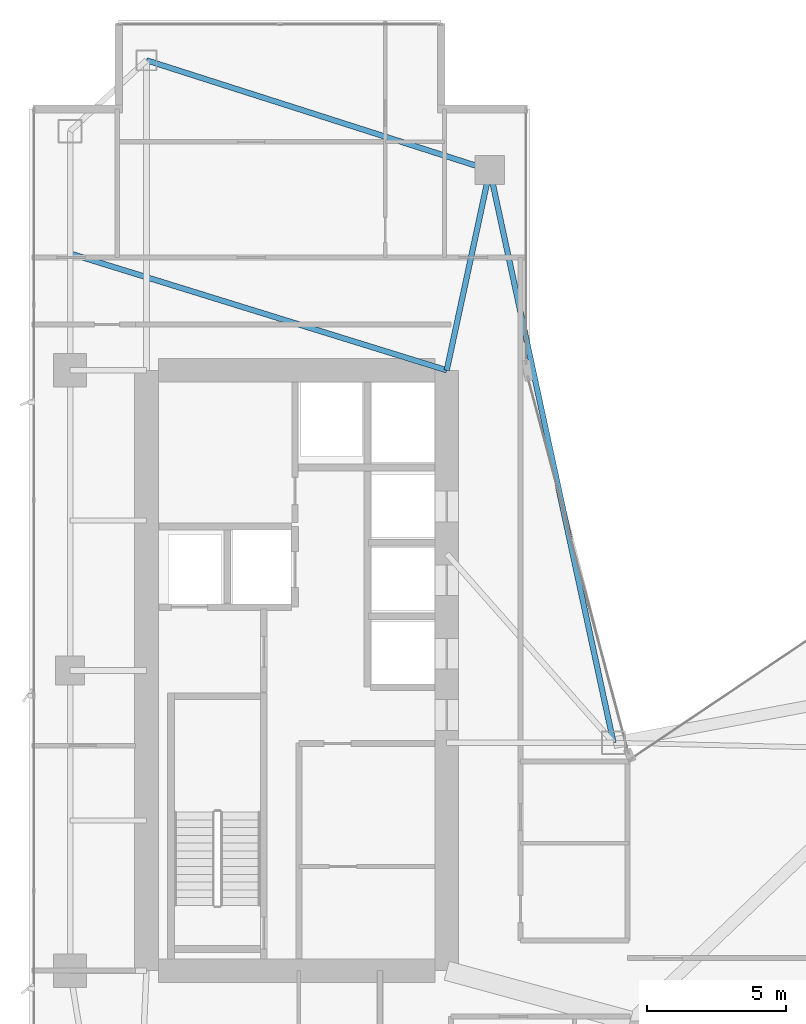
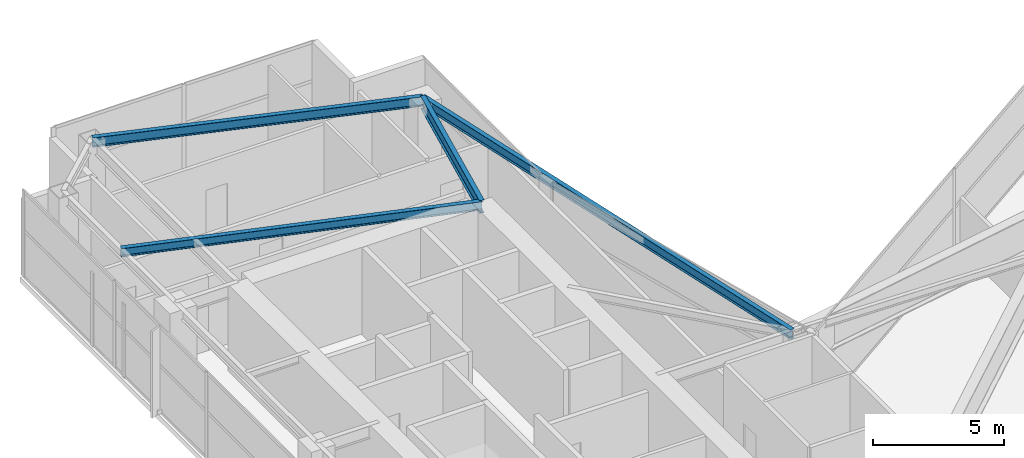
# One storey, part 19 of 30: 4 beams.
"""IFC4 building model written with IfcOpenShell, lengths in metres."""

from ifc_helpers import new_model, si_unit, direction, frame, origin, origin_2d, place, context, subcontext, project, spatial, i_section, extrude, material, material_profile, profile_set, type_object, element, save


model = new_model("IFC4")

# Units and contexts
model_context = context("Model", 3, precision=1e-05, world=origin(), true_north=direction((0.0, 1.0)))
body_context = subcontext(model_context, "Body", "Model", "MODEL_VIEW")
ifc_project = project(units=[si_unit("LENGTHUNIT", "METRE"), si_unit("AREAUNIT", "SQUARE_METRE"), si_unit("VOLUMEUNIT", "CUBIC_METRE"), si_unit("PLANEANGLEUNIT", "RADIAN"), si_unit("MASSUNIT", "GRAM", prefix="KILO")], contexts=[model_context])

# Site, building, storey
site_placement = place(None, origin())
site = spatial("IfcSite", under=ifc_project, at=site_placement, CompositionType="ELEMENT")
building_placement = place(site_placement, origin())
building = spatial("IfcBuilding", under=site, at=building_placement, Name="Calvorn Quay Hotel", CompositionType="ELEMENT")
storey_placement = place(building_placement, frame((0.0, 0.0, 195.10009765625)))
storey = spatial("IfcBuildingStorey", under=building, at=storey_placement, Name="L48", CompositionType="ELEMENT", Elevation=195.10009765625)

# Beams
ifc_material_1 = material(Name="Steel Q355B", Category="steel")
ifc_material_profile_1 = material_profile(ifc_material_1, i_section(OverallWidth=0.199951171875, OverallDepth=0.60009765625, WebThickness=0.010986328125, FlangeThickness=0.01708984375, FilletRadius=0.01806640625, at=origin_2d()), Name="HN600x200x11x17")
ifc_profile_set_1 = profile_set([ifc_material_profile_1], Name="Steel Q355B")
beam_type_1 = type_object("IfcBeamType", Name="BM-GIRD-TYP", PredefinedType="BEAM", material=ifc_profile_set_1)
beam_1_placement = place(storey_placement, frame((16.550048828125, 45.60009765625, 3.75), z_axis=(-0.210457140491, -0.97760308511, 0.0), x_axis=(0.97760308511, -0.210457140491, 0.0)))
element("IfcBeam", 1, at=beam_1_placement, inside=storey, type_object=beam_type_1, Name="Beam BG-L48-W6", PredefinedType="BEAM", context=body_context, shape_type="SweptSolid", body=[
    extrude(i_section(OverallWidth=0.199951171875, OverallDepth=0.60009765625, WebThickness=0.010986328125, FlangeThickness=0.01708984375, FilletRadius=0.01806640625, at=origin_2d()), origin(), (0.0, 0.0, 1.0), 7.365234375),
])
ifc_material_2 = material(Name="Steel Q355B", Category="steel")
ifc_material_profile_2 = material_profile(ifc_material_2, i_section(OverallWidth=0.199951171875, OverallDepth=0.39990234375, WebThickness=0.008056640625, FlangeThickness=0.012939453125, FilletRadius=0.01611328125, at=origin_2d()), Name="HN400x200x8x13")
ifc_profile_set_2 = profile_set([ifc_material_profile_2], Name="Steel Q355B")
beam_type_2 = type_object("IfcBeamType", Name="BM-JOIST-TYP", PredefinedType="JOIST", material=ifc_profile_set_2)
beam_2_placement = place(storey_placement, frame((1.449951171875, 42.60009765625, 3.849853515625), z_axis=(0.955163702122, -0.296078202759, 0.0), x_axis=(0.296078202759, 0.955163702122, 0.0)))
element("IfcBeam", 2, at=beam_2_placement, inside=storey, type_object=beam_type_2, Name="Beam BJ-L48-W2", PredefinedType="JOIST", context=body_context, shape_type="SweptSolid", body=[
    extrude(i_section(OverallWidth=0.199951171875, OverallDepth=0.39990234375, WebThickness=0.008056640625, FlangeThickness=0.012939453125, FilletRadius=0.01611328125, at=origin_2d()), origin(), (0.0, 0.0, 1.0), 14.18603515625),
])
ifc_material_3 = material(Name="Steel Q355B", Category="steel")
ifc_material_profile_3 = material_profile(ifc_material_3, i_section(OverallWidth=0.199951171875, OverallDepth=0.449951171875, WebThickness=0.009033203125, FlangeThickness=0.013916015625, FilletRadius=0.01611328125, at=origin_2d()), Name="HN450x200x9x14")
ifc_profile_set_3 = profile_set([ifc_material_profile_3], Name="Steel Q355B")
beam_type_3 = type_object("IfcBeamType", Name="BM-SPANDREL-Z3", PredefinedType="SPANDREL", material=ifc_profile_set_3)
beam_3_placement = place(storey_placement, frame((4.199951171875, 49.550048828125, 3.824951171875), z_axis=(0.952470702374, -0.304630203885, 0.0), x_axis=(0.304630203885, 0.952470702374, 0.0)))
element("IfcBeam", 3, at=beam_3_placement, inside=storey, type_object=beam_type_3, Name="Beam BSP-L48-W6", PredefinedType="SPANDREL", context=body_context, shape_type="SweptSolid", body=[
    extrude(i_section(OverallWidth=0.199951171875, OverallDepth=0.449951171875, WebThickness=0.009033203125, FlangeThickness=0.013916015625, FilletRadius=0.01611328125, at=origin_2d()), origin(), (0.0, 0.0, 1.0), 12.96630859375),
])
beam_4_placement = place(storey_placement, frame((16.550048828125, 45.60009765625, 3.824951171875), z_axis=(0.211145848376, -0.977454567084, 0.0), x_axis=(0.977454567084, 0.211145848376, 0.0)))
element("IfcBeam", 4, at=beam_4_placement, inside=storey, type_object=beam_type_3, Name="Beam BSP-L48-W7", PredefinedType="SPANDREL", context=body_context, shape_type="SweptSolid", body=[
    extrude(i_section(OverallWidth=0.199951171875, OverallDepth=0.449951171875, WebThickness=0.009033203125, FlangeThickness=0.013916015625, FilletRadius=0.01611328125, at=origin_2d()), origin(), (0.0, 0.0, 1.0), 21.0751953125),
])

save(model, "model.ifc")
